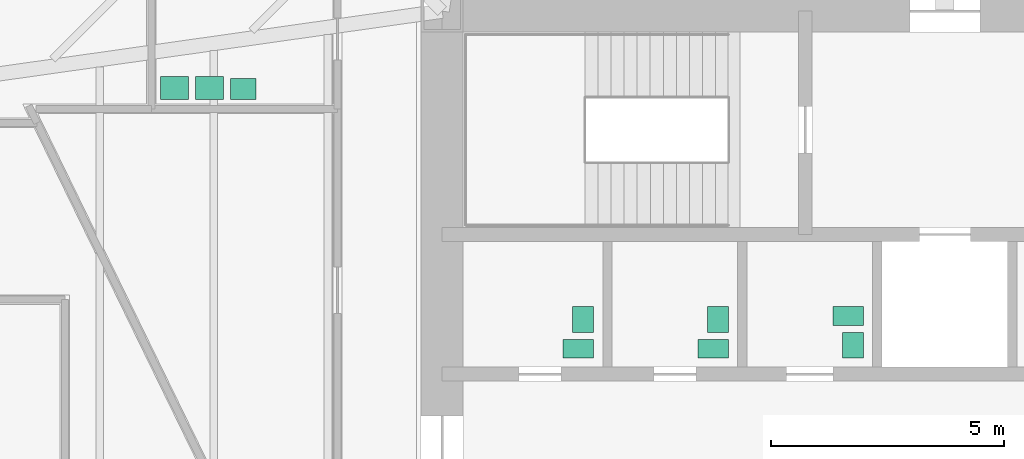
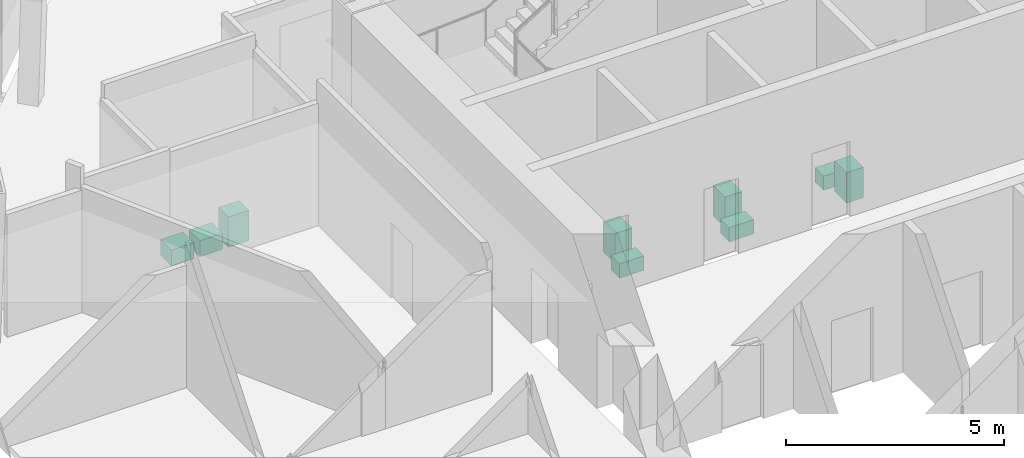
# One storey, part 14 of 14: 9 sanitary terminals.
"""IFC4 building model written with IfcOpenShell, lengths in metres."""

from ifc_helpers import new_model, si_unit, direction, frame, origin, origin_2d, place, context, subcontext, project, spatial, rectangle, extrude, material, type_object, element, save


model = new_model("IFC4")

# Units and contexts
model_context = context("Model", 3, precision=1e-05, world=origin(), true_north=direction((0.0, 1.0)))
body_context = subcontext(model_context, "Body", "Model", "MODEL_VIEW")
ifc_project = project(units=[si_unit("LENGTHUNIT", "METRE"), si_unit("AREAUNIT", "SQUARE_METRE"), si_unit("VOLUMEUNIT", "CUBIC_METRE"), si_unit("PLANEANGLEUNIT", "RADIAN"), si_unit("MASSUNIT", "GRAM", prefix="KILO")], contexts=[model_context])

# Site, building, storey
site_placement = place(None, origin())
site = spatial("IfcSite", under=ifc_project, at=site_placement, CompositionType="ELEMENT")
building_placement = place(site_placement, origin())
building = spatial("IfcBuilding", under=site, at=building_placement, Name="Mashrafa Tower", CompositionType="ELEMENT")
storey_placement = place(building_placement, frame((0.0, 0.0, 147.0)))
storey = spatial("IfcBuildingStorey", under=building, at=storey_placement, Name="L33", CompositionType="ELEMENT", Elevation=147.0)

# Sanitary terminals
ifc_material_1 = material(Name="Stainless steel", Category="steel")
sanitary_terminal_type_1 = type_object("IfcSanitaryTerminalType", Name="Ablution wash station 600 x 500", PredefinedType="WASHHANDBASIN", material=ifc_material_1)
for number, where, z_axis, x_axis, name in (
    (1, (-16.550048828125, 9.14990234375, 0.0), (0.0, 0.0, 1.0), (1.0, 0.0, 0.0), "Ablution wash station Ablution Room L33"),
    (2, (-15.800048828125, 9.14990234375, 0.0), (0.0, 0.0, 1.0), (1.0, 0.0, 0.0), "Ablution wash station Ablution Room L33"),
):
    element("IfcSanitaryTerminal", number, at=place(storey_placement, frame(where, z_axis=z_axis, x_axis=x_axis)), inside=storey, type_object=sanitary_terminal_type_1, Name=name, PredefinedType="WASHHANDBASIN", context=body_context, shape_type="SweptSolid", body=[
        extrude(rectangle(XDim=0.60009765625, YDim=0.5, at=origin_2d()), origin(), (0.0, 0.0, 1.0), 0.449951171875),
    ])
ifc_material_2 = material(Name="Vitreous china")
sanitary_terminal_type_2 = type_object("IfcSanitaryTerminalType", Name="Toilet pan 400 x 650", PredefinedType="TOILETPAN", material=ifc_material_2)
for number, where, z_axis, x_axis, name in (
    (3, (-7.875, 3.550048828125, 0.0), (0.0, 0.0, 1.0), (0.0, 1.0, 0.0), "Toilet pan WC Male L33"),
    (4, (-4.97509765625, 3.550048828125, 0.0), (0.0, 0.0, 1.0), (0.0, 1.0, 0.0), "Toilet pan WC Female L33"),
    (5, (-2.074951171875, 4.25, 0.0), (0.0, 0.0, 1.0), (0.0, 1.0, 0.0), "Toilet pan Accessible WC L33"),
):
    element("IfcSanitaryTerminal", number, at=place(storey_placement, frame(where, z_axis=z_axis, x_axis=x_axis)), inside=storey, type_object=sanitary_terminal_type_2, Name=name, PredefinedType="TOILETPAN", context=body_context, shape_type="SweptSolid", body=[
        extrude(rectangle(XDim=0.39990234375, YDim=0.64990234375, at=origin_2d()), origin(), (0.0, 0.0, 1.0), 0.39990234375),
    ])
ifc_material_3 = material(Name="Vitreous china")
sanitary_terminal_type_3 = type_object("IfcSanitaryTerminalType", Name="Wash basin 550 x 450", PredefinedType="WASHHANDBASIN", material=ifc_material_3)
for number, where, z_axis, x_axis, name in (
    (6, (-7.77490234375, 4.175048828125, 0.0), (0.0, 0.0, 1.0), (0.0, 1.0, 0.0), "Wash basin WC Male L33"),
    (7, (-4.875, 4.175048828125, 0.0), (0.0, 0.0, 1.0), (0.0, 1.0, 0.0), "Wash basin WC Female L33"),
    (8, (-1.97509765625, 3.625, 0.0), (0.0, 0.0, 1.0), (0.0, 1.0, 0.0), "Wash basin Accessible WC L33"),
    (9, (-15.074951171875, 9.125, 0.0), (0.0, 0.0, 1.0), (1.0, 0.0, 0.0), "Wash basin Ablution Room L33"),
):
    element("IfcSanitaryTerminal", number, at=place(storey_placement, frame(where, z_axis=z_axis, x_axis=x_axis)), inside=storey, type_object=sanitary_terminal_type_3, Name=name, PredefinedType="WASHHANDBASIN", context=body_context, shape_type="SweptSolid", body=[
        extrude(rectangle(XDim=0.550048828125, YDim=0.449951171875, at=origin_2d()), origin(), (0.0, 0.0, 1.0), 0.85009765625),
    ])

save(model, "model.ifc")
